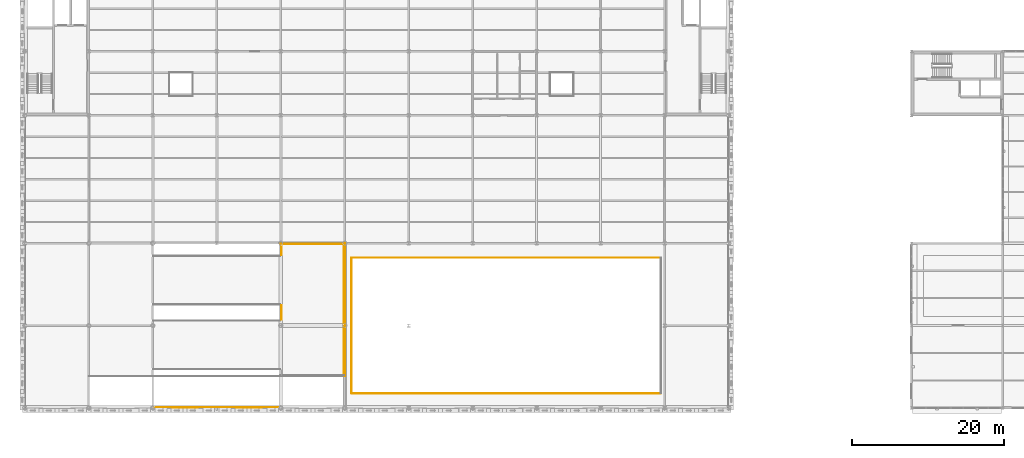
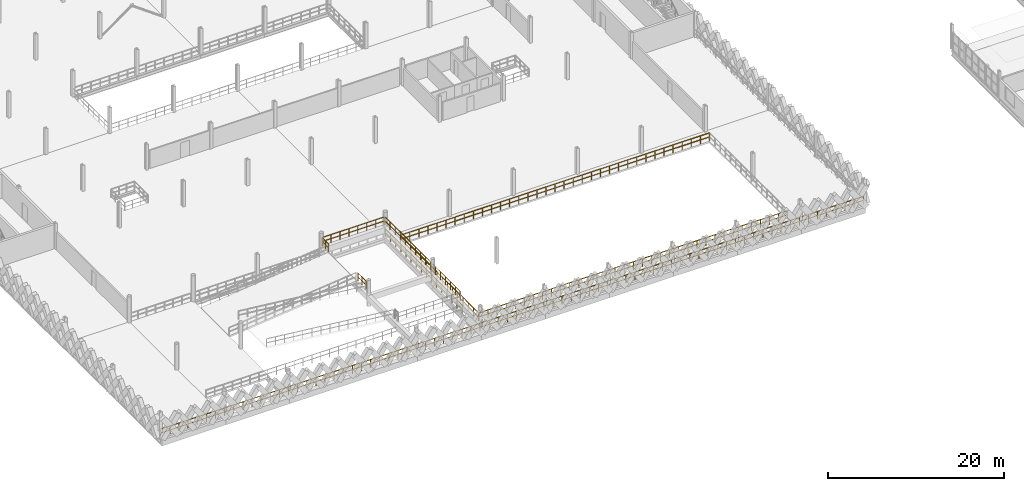
# One storey, part 70 of 79: 9 railings.
"""IFC4 building model written with IfcOpenShell, lengths in metres."""

from ifc_helpers import new_model, si_unit, direction, frame, origin, origin_2d, place, context, subcontext, project, spatial, circle, extrude, material, type_object, element, save


model = new_model("IFC4")

# Units and contexts
model_context = context("Model", 3, precision=1e-05, world=origin(), true_north=direction((0.0, 1.0)))
body_context = subcontext(model_context, "Body", "Model", "MODEL_VIEW")
ifc_project = project(units=[si_unit("LENGTHUNIT", "METRE"), si_unit("AREAUNIT", "SQUARE_METRE"), si_unit("VOLUMEUNIT", "CUBIC_METRE"), si_unit("PLANEANGLEUNIT", "RADIAN"), si_unit("MASSUNIT", "GRAM", prefix="KILO"), si_unit("THERMODYNAMICTEMPERATUREUNIT", "KELVIN"), si_unit("POWERUNIT", "WATT")], contexts=[model_context])

# Site, building, storey
site_placement = place(None, origin())
site = spatial("IfcSite", under=ifc_project, at=site_placement, CompositionType="ELEMENT")
building_placement = place(site_placement, origin())
building = spatial("IfcBuilding", under=site, at=building_placement, Name="Tembeka Court Mobility Hub", CompositionType="ELEMENT")
storey_placement = place(building_placement, frame((0.0, 0.0, 9.0)))
storey = spatial("IfcBuildingStorey", under=building, at=storey_placement, Name="L02", CompositionType="ELEMENT", Elevation=9.0)

# Railings
ifc_material = material(Name="Painted galvanised steel balustrade", Category="steel")
railing_type_1 = type_object("IfcRailingType", Name="RL-GR01", PredefinedType="GUARDRAIL", material=ifc_material)
railing_1_placement = place(storey_placement, frame((42.929931640625, 1.89990234375, 0.0)))
element("IfcRailing", 1, at=railing_1_placement, inside=storey, type_object=railing_type_1, Name="Perimeter guard GR01-0083", PredefinedType="GUARDRAIL", context=body_context, shape_type="SweptSolid", body=[
    extrude(circle(Radius=0.02392578125, at=origin_2d()), frame((0.0, 0.0, 1.09619140625), z_axis=(1.0, 0.0, 0.0), x_axis=(0.0, 1.0, 0.0)), (0.0, 0.0, 1.0), 40.5400390625),
    extrude(circle(Radius=0.02392578125, at=origin_2d()), frame((0.0, 0.0, 0.5361328125), z_axis=(1.0, 0.0, 0.0), x_axis=(0.0, 1.0, 0.0)), (0.0, 0.0, 1.0), 40.5400390625),
    extrude(circle(Radius=0.02099609375, at=origin_2d()), origin(), (0.0, 0.0, 1.0), 1.072021484375),
    extrude(circle(Radius=0.02099609375, at=origin_2d()), frame((1.1923828125, 0.0, 0.0)), (0.0, 0.0, 1.0), 1.072021484375),
    extrude(circle(Radius=0.02099609375, at=origin_2d()), frame((2.384765625, 0.0, 0.0)), (0.0, 0.0, 1.0), 1.072021484375),
    extrude(circle(Radius=0.02099609375, at=origin_2d()), frame((3.5771484375, 0.0, 0.0)), (0.0, 0.0, 1.0), 1.072021484375),
    extrude(circle(Radius=0.02099609375, at=origin_2d()), frame((4.76953125, 0.0, 0.0)), (0.0, 0.0, 1.0), 1.072021484375),
    extrude(circle(Radius=0.02099609375, at=origin_2d()), frame((5.961669921875, 0.0, 0.0)), (0.0, 0.0, 1.0), 1.072021484375),
    extrude(circle(Radius=0.02099609375, at=origin_2d()), frame((7.154052734375, 0.0, 0.0)), (0.0, 0.0, 1.0), 1.072021484375),
    extrude(circle(Radius=0.02099609375, at=origin_2d()), frame((8.346435546875, 0.0, 0.0)), (0.0, 0.0, 1.0), 1.072021484375),
    extrude(circle(Radius=0.02099609375, at=origin_2d()), frame((9.538818359375, 0.0, 0.0)), (0.0, 0.0, 1.0), 1.072021484375),
    extrude(circle(Radius=0.02099609375, at=origin_2d()), frame((10.731201171875, 0.0, 0.0)), (0.0, 0.0, 1.0), 1.072021484375),
    extrude(circle(Radius=0.02099609375, at=origin_2d()), frame((11.923583984375, 0.0, 0.0)), (0.0, 0.0, 1.0), 1.072021484375),
    extrude(circle(Radius=0.02099609375, at=origin_2d()), frame((13.115966796875, 0.0, 0.0)), (0.0, 0.0, 1.0), 1.072021484375),
    extrude(circle(Radius=0.02099609375, at=origin_2d()), frame((14.308349609375, 0.0, 0.0)), (0.0, 0.0, 1.0), 1.072021484375),
    extrude(circle(Radius=0.02099609375, at=origin_2d()), frame((15.50048828125, 0.0, 0.0)), (0.0, 0.0, 1.0), 1.072021484375),
    extrude(circle(Radius=0.02099609375, at=origin_2d()), frame((16.69287109375, 0.0, 0.0)), (0.0, 0.0, 1.0), 1.072021484375),
    extrude(circle(Radius=0.02099609375, at=origin_2d()), frame((17.88525390625, 0.0, 0.0)), (0.0, 0.0, 1.0), 1.072021484375),
    extrude(circle(Radius=0.02099609375, at=origin_2d()), frame((19.07763671875, 0.0, 0.0)), (0.0, 0.0, 1.0), 1.072021484375),
    extrude(circle(Radius=0.02099609375, at=origin_2d()), frame((20.27001953125, 0.0, 0.0)), (0.0, 0.0, 1.0), 1.072021484375),
    extrude(circle(Radius=0.02099609375, at=origin_2d()), frame((21.46240234375, 0.0, 0.0)), (0.0, 0.0, 1.0), 1.072021484375),
    extrude(circle(Radius=0.02099609375, at=origin_2d()), frame((22.65478515625, 0.0, 0.0)), (0.0, 0.0, 1.0), 1.072021484375),
    extrude(circle(Radius=0.02099609375, at=origin_2d()), frame((23.84716796875, 0.0, 0.0)), (0.0, 0.0, 1.0), 1.072021484375),
    extrude(circle(Radius=0.02099609375, at=origin_2d()), frame((25.03955078125, 0.0, 0.0)), (0.0, 0.0, 1.0), 1.072021484375),
    extrude(circle(Radius=0.02099609375, at=origin_2d()), frame((26.231689453125, 0.0, 0.0)), (0.0, 0.0, 1.0), 1.072021484375),
    extrude(circle(Radius=0.02099609375, at=origin_2d()), frame((27.424072265625, 0.0, 0.0)), (0.0, 0.0, 1.0), 1.072021484375),
    extrude(circle(Radius=0.02099609375, at=origin_2d()), frame((28.616455078125, 0.0, 0.0)), (0.0, 0.0, 1.0), 1.072021484375),
    extrude(circle(Radius=0.02099609375, at=origin_2d()), frame((29.808837890625, 0.0, 0.0)), (0.0, 0.0, 1.0), 1.072021484375),
    extrude(circle(Radius=0.02099609375, at=origin_2d()), frame((31.001220703125, 0.0, 0.0)), (0.0, 0.0, 1.0), 1.072021484375),
    extrude(circle(Radius=0.02099609375, at=origin_2d()), frame((32.193603515625, 0.0, 0.0)), (0.0, 0.0, 1.0), 1.072021484375),
    extrude(circle(Radius=0.02099609375, at=origin_2d()), frame((33.385986328125, 0.0, 0.0)), (0.0, 0.0, 1.0), 1.072021484375),
    extrude(circle(Radius=0.02099609375, at=origin_2d()), frame((34.578369140625, 0.0, 0.0)), (0.0, 0.0, 1.0), 1.072021484375),
    extrude(circle(Radius=0.02099609375, at=origin_2d()), frame((35.7705078125, 0.0, 0.0)), (0.0, 0.0, 1.0), 1.072021484375),
    extrude(circle(Radius=0.02099609375, at=origin_2d()), frame((36.962890625, 0.0, 0.0)), (0.0, 0.0, 1.0), 1.072021484375),
    extrude(circle(Radius=0.02099609375, at=origin_2d()), frame((38.1552734375, 0.0, 0.0)), (0.0, 0.0, 1.0), 1.072021484375),
    extrude(circle(Radius=0.02099609375, at=origin_2d()), frame((39.34765625, 0.0, 0.0)), (0.0, 0.0, 1.0), 1.072021484375),
    extrude(circle(Radius=0.02099609375, at=origin_2d()), frame((40.5400390625, 0.0, 0.0)), (0.0, 0.0, 1.0), 1.072021484375),
])
railing_2_placement = place(storey_placement, frame((83.469970703125, 19.699951171875, 0.0)))
element("IfcRailing", 2, at=railing_2_placement, inside=storey, type_object=railing_type_1, Name="Perimeter guard GR01-0085", PredefinedType="GUARDRAIL", context=body_context, shape_type="SweptSolid", body=[
    extrude(circle(Radius=0.02392578125, at=origin_2d()), frame((0.0, 0.0, 1.09619140625), z_axis=(-1.0, 0.0, 0.0), x_axis=(0.0, -1.0, 0.0)), (0.0, 0.0, 1.0), 40.5400390625),
    extrude(circle(Radius=0.02392578125, at=origin_2d()), frame((0.0, 0.0, 0.5361328125), z_axis=(-1.0, 0.0, 0.0), x_axis=(0.0, -1.0, 0.0)), (0.0, 0.0, 1.0), 40.5400390625),
    extrude(circle(Radius=0.02099609375, at=origin_2d()), origin(), (0.0, 0.0, 1.0), 1.072021484375),
    extrude(circle(Radius=0.02099609375, at=origin_2d()), frame((-1.1923828125, 0.0, 0.0)), (0.0, 0.0, 1.0), 1.072021484375),
    extrude(circle(Radius=0.02099609375, at=origin_2d()), frame((-2.384765625, 0.0, 0.0)), (0.0, 0.0, 1.0), 1.072021484375),
    extrude(circle(Radius=0.02099609375, at=origin_2d()), frame((-3.5771484375, 0.0, 0.0)), (0.0, 0.0, 1.0), 1.072021484375),
    extrude(circle(Radius=0.02099609375, at=origin_2d()), frame((-4.76953125, 0.0, 0.0)), (0.0, 0.0, 1.0), 1.072021484375),
    extrude(circle(Radius=0.02099609375, at=origin_2d()), frame((-5.961669921875, 0.0, 0.0)), (0.0, 0.0, 1.0), 1.072021484375),
    extrude(circle(Radius=0.02099609375, at=origin_2d()), frame((-7.154052734375, 0.0, 0.0)), (0.0, 0.0, 1.0), 1.072021484375),
    extrude(circle(Radius=0.02099609375, at=origin_2d()), frame((-8.346435546875, 0.0, 0.0)), (0.0, 0.0, 1.0), 1.072021484375),
    extrude(circle(Radius=0.02099609375, at=origin_2d()), frame((-9.538818359375, 0.0, 0.0)), (0.0, 0.0, 1.0), 1.072021484375),
    extrude(circle(Radius=0.02099609375, at=origin_2d()), frame((-10.731201171875, 0.0, 0.0)), (0.0, 0.0, 1.0), 1.072021484375),
    extrude(circle(Radius=0.02099609375, at=origin_2d()), frame((-11.923583984375, 0.0, 0.0)), (0.0, 0.0, 1.0), 1.072021484375),
    extrude(circle(Radius=0.02099609375, at=origin_2d()), frame((-13.115966796875, 0.0, 0.0)), (0.0, 0.0, 1.0), 1.072021484375),
    extrude(circle(Radius=0.02099609375, at=origin_2d()), frame((-14.308349609375, 0.0, 0.0)), (0.0, 0.0, 1.0), 1.072021484375),
    extrude(circle(Radius=0.02099609375, at=origin_2d()), frame((-15.50048828125, 0.0, 0.0)), (0.0, 0.0, 1.0), 1.072021484375),
    extrude(circle(Radius=0.02099609375, at=origin_2d()), frame((-16.69287109375, 0.0, 0.0)), (0.0, 0.0, 1.0), 1.072021484375),
    extrude(circle(Radius=0.02099609375, at=origin_2d()), frame((-17.88525390625, 0.0, 0.0)), (0.0, 0.0, 1.0), 1.072021484375),
    extrude(circle(Radius=0.02099609375, at=origin_2d()), frame((-19.07763671875, 0.0, 0.0)), (0.0, 0.0, 1.0), 1.072021484375),
    extrude(circle(Radius=0.02099609375, at=origin_2d()), frame((-20.27001953125, 0.0, 0.0)), (0.0, 0.0, 1.0), 1.072021484375),
    extrude(circle(Radius=0.02099609375, at=origin_2d()), frame((-21.46240234375, 0.0, 0.0)), (0.0, 0.0, 1.0), 1.072021484375),
    extrude(circle(Radius=0.02099609375, at=origin_2d()), frame((-22.65478515625, 0.0, 0.0)), (0.0, 0.0, 1.0), 1.072021484375),
    extrude(circle(Radius=0.02099609375, at=origin_2d()), frame((-23.84716796875, 0.0, 0.0)), (0.0, 0.0, 1.0), 1.072021484375),
    extrude(circle(Radius=0.02099609375, at=origin_2d()), frame((-25.03955078125, 0.0, 0.0)), (0.0, 0.0, 1.0), 1.072021484375),
    extrude(circle(Radius=0.02099609375, at=origin_2d()), frame((-26.231689453125, 0.0, 0.0)), (0.0, 0.0, 1.0), 1.072021484375),
    extrude(circle(Radius=0.02099609375, at=origin_2d()), frame((-27.424072265625, 0.0, 0.0)), (0.0, 0.0, 1.0), 1.072021484375),
    extrude(circle(Radius=0.02099609375, at=origin_2d()), frame((-28.616455078125, 0.0, 0.0)), (0.0, 0.0, 1.0), 1.072021484375),
    extrude(circle(Radius=0.02099609375, at=origin_2d()), frame((-29.808837890625, 0.0, 0.0)), (0.0, 0.0, 1.0), 1.072021484375),
    extrude(circle(Radius=0.02099609375, at=origin_2d()), frame((-31.001220703125, 0.0, 0.0)), (0.0, 0.0, 1.0), 1.072021484375),
    extrude(circle(Radius=0.02099609375, at=origin_2d()), frame((-32.193603515625, 0.0, 0.0)), (0.0, 0.0, 1.0), 1.072021484375),
    extrude(circle(Radius=0.02099609375, at=origin_2d()), frame((-33.385986328125, 0.0, 0.0)), (0.0, 0.0, 1.0), 1.072021484375),
    extrude(circle(Radius=0.02099609375, at=origin_2d()), frame((-34.578369140625, 0.0, 0.0)), (0.0, 0.0, 1.0), 1.072021484375),
    extrude(circle(Radius=0.02099609375, at=origin_2d()), frame((-35.7705078125, 0.0, 0.0)), (0.0, 0.0, 1.0), 1.072021484375),
    extrude(circle(Radius=0.02099609375, at=origin_2d()), frame((-36.962890625, 0.0, 0.0)), (0.0, 0.0, 1.0), 1.072021484375),
    extrude(circle(Radius=0.02099609375, at=origin_2d()), frame((-38.1552734375, 0.0, 0.0)), (0.0, 0.0, 1.0), 1.072021484375),
    extrude(circle(Radius=0.02099609375, at=origin_2d()), frame((-39.34765625, 0.0, 0.0)), (0.0, 0.0, 1.0), 1.072021484375),
    extrude(circle(Radius=0.02099609375, at=origin_2d()), frame((-40.5400390625, 0.0, 0.0)), (0.0, 0.0, 1.0), 1.072021484375),
])
railing_3_placement = place(storey_placement, frame((42.89990234375, 19.669921875, 0.0)))
element("IfcRailing", 3, at=railing_3_placement, inside=storey, type_object=railing_type_1, Name="Perimeter guard GR01-0086", PredefinedType="GUARDRAIL", context=body_context, shape_type="SweptSolid", body=[
    extrude(circle(Radius=0.02392578125, at=origin_2d()), frame((0.0, 0.0, 1.09619140625), z_axis=(0.0, -1.0, 0.0), x_axis=(1.0, 0.0, 0.0)), (0.0, 0.0, 1.0), 17.739990234375),
    extrude(circle(Radius=0.02392578125, at=origin_2d()), frame((0.0, 0.0, 0.5361328125), z_axis=(0.0, -1.0, 0.0), x_axis=(1.0, 0.0, 0.0)), (0.0, 0.0, 1.0), 17.739990234375),
    extrude(circle(Radius=0.02099609375, at=origin_2d()), origin(), (0.0, 0.0, 1.0), 1.072021484375),
    extrude(circle(Radius=0.02099609375, at=origin_2d()), frame((0.0, -1.1826171875, 0.0)), (0.0, 0.0, 1.0), 1.072021484375),
    extrude(circle(Radius=0.02099609375, at=origin_2d()), frame((0.0, -2.365234375, 0.0)), (0.0, 0.0, 1.0), 1.072021484375),
    extrude(circle(Radius=0.02099609375, at=origin_2d()), frame((0.0, -3.548095703125, 0.0)), (0.0, 0.0, 1.0), 1.072021484375),
    extrude(circle(Radius=0.02099609375, at=origin_2d()), frame((0.0, -4.730712890625, 0.0)), (0.0, 0.0, 1.0), 1.072021484375),
    extrude(circle(Radius=0.02099609375, at=origin_2d()), frame((0.0, -5.913330078125, 0.0)), (0.0, 0.0, 1.0), 1.072021484375),
    extrude(circle(Radius=0.02099609375, at=origin_2d()), frame((0.0, -7.095947265625, 0.0)), (0.0, 0.0, 1.0), 1.072021484375),
    extrude(circle(Radius=0.02099609375, at=origin_2d()), frame((0.0, -8.278564453125, 0.0)), (0.0, 0.0, 1.0), 1.072021484375),
    extrude(circle(Radius=0.02099609375, at=origin_2d()), frame((0.0, -9.46142578125, 0.0)), (0.0, 0.0, 1.0), 1.072021484375),
    extrude(circle(Radius=0.02099609375, at=origin_2d()), frame((0.0, -10.64404296875, 0.0)), (0.0, 0.0, 1.0), 1.072021484375),
    extrude(circle(Radius=0.02099609375, at=origin_2d()), frame((0.0, -11.82666015625, 0.0)), (0.0, 0.0, 1.0), 1.072021484375),
    extrude(circle(Radius=0.02099609375, at=origin_2d()), frame((0.0, -13.00927734375, 0.0)), (0.0, 0.0, 1.0), 1.072021484375),
    extrude(circle(Radius=0.02099609375, at=origin_2d()), frame((0.0, -14.19189453125, 0.0)), (0.0, 0.0, 1.0), 1.072021484375),
    extrude(circle(Radius=0.02099609375, at=origin_2d()), frame((0.0, -15.374755859375, 0.0)), (0.0, 0.0, 1.0), 1.072021484375),
    extrude(circle(Radius=0.02099609375, at=origin_2d()), frame((0.0, -16.557373046875, 0.0)), (0.0, 0.0, 1.0), 1.072021484375),
    extrude(circle(Radius=0.02099609375, at=origin_2d()), frame((0.0, -17.739990234375, 0.0)), (0.0, 0.0, 1.0), 1.072021484375),
])
railing_type_2 = type_object("IfcRailingType", Name="RL-GR02", PredefinedType="GUARDRAIL", material=ifc_material)
railing_4_placement = place(storey_placement, frame((0.080078125, 0.050048828125, 0.0)))
element("IfcRailing", 4, at=railing_4_placement, inside=storey, type_object=railing_type_2, Name="Perimeter guard GR02-0091", PredefinedType="GUARDRAIL", context=body_context, shape_type="SweptSolid", body=[
    extrude(circle(Radius=0.02392578125, at=origin_2d()), frame((0.0, 0.0, 1.09619140625), z_axis=(1.0, 0.0, 0.0), x_axis=(0.0, 1.0, 0.0)), (0.0, 0.0, 1.0), 92.239990234375),
    extrude(circle(Radius=0.02392578125, at=origin_2d()), frame((0.0, 0.0, 0.5361328125), z_axis=(1.0, 0.0, 0.0), x_axis=(0.0, 1.0, 0.0)), (0.0, 0.0, 1.0), 92.239990234375),
    extrude(circle(Radius=0.02099609375, at=origin_2d()), origin(), (0.0, 0.0, 1.0), 1.072021484375),
    extrude(circle(Radius=0.02099609375, at=origin_2d()), frame((1.197998046875, 0.0, 0.0)), (0.0, 0.0, 1.0), 1.072021484375),
    extrude(circle(Radius=0.02099609375, at=origin_2d()), frame((2.395751953125, 0.0, 0.0)), (0.0, 0.0, 1.0), 1.072021484375),
    extrude(circle(Radius=0.02099609375, at=origin_2d()), frame((3.59375, 0.0, 0.0)), (0.0, 0.0, 1.0), 1.072021484375),
    extrude(circle(Radius=0.02099609375, at=origin_2d()), frame((4.791748046875, 0.0, 0.0)), (0.0, 0.0, 1.0), 1.072021484375),
    extrude(circle(Radius=0.02099609375, at=origin_2d()), frame((5.989501953125, 0.0, 0.0)), (0.0, 0.0, 1.0), 1.072021484375),
    extrude(circle(Radius=0.02099609375, at=origin_2d()), frame((7.1875, 0.0, 0.0)), (0.0, 0.0, 1.0), 1.072021484375),
    extrude(circle(Radius=0.02099609375, at=origin_2d()), frame((8.385498046875, 0.0, 0.0)), (0.0, 0.0, 1.0), 1.072021484375),
    extrude(circle(Radius=0.02099609375, at=origin_2d()), frame((9.58349609375, 0.0, 0.0)), (0.0, 0.0, 1.0), 1.072021484375),
    extrude(circle(Radius=0.02099609375, at=origin_2d()), frame((10.78125, 0.0, 0.0)), (0.0, 0.0, 1.0), 1.072021484375),
    extrude(circle(Radius=0.02099609375, at=origin_2d()), frame((11.979248046875, 0.0, 0.0)), (0.0, 0.0, 1.0), 1.072021484375),
    extrude(circle(Radius=0.02099609375, at=origin_2d()), frame((13.17724609375, 0.0, 0.0)), (0.0, 0.0, 1.0), 1.072021484375),
    extrude(circle(Radius=0.02099609375, at=origin_2d()), frame((14.375, 0.0, 0.0)), (0.0, 0.0, 1.0), 1.072021484375),
    extrude(circle(Radius=0.02099609375, at=origin_2d()), frame((15.572998046875, 0.0, 0.0)), (0.0, 0.0, 1.0), 1.072021484375),
    extrude(circle(Radius=0.02099609375, at=origin_2d()), frame((16.77099609375, 0.0, 0.0)), (0.0, 0.0, 1.0), 1.072021484375),
    extrude(circle(Radius=0.02099609375, at=origin_2d()), frame((17.96875, 0.0, 0.0)), (0.0, 0.0, 1.0), 1.072021484375),
    extrude(circle(Radius=0.02099609375, at=origin_2d()), frame((19.166748046875, 0.0, 0.0)), (0.0, 0.0, 1.0), 1.072021484375),
    extrude(circle(Radius=0.02099609375, at=origin_2d()), frame((20.36474609375, 0.0, 0.0)), (0.0, 0.0, 1.0), 1.072021484375),
    extrude(circle(Radius=0.02099609375, at=origin_2d()), frame((21.5625, 0.0, 0.0)), (0.0, 0.0, 1.0), 1.072021484375),
    extrude(circle(Radius=0.02099609375, at=origin_2d()), frame((22.760498046875, 0.0, 0.0)), (0.0, 0.0, 1.0), 1.072021484375),
    extrude(circle(Radius=0.02099609375, at=origin_2d()), frame((23.95849609375, 0.0, 0.0)), (0.0, 0.0, 1.0), 1.072021484375),
    extrude(circle(Radius=0.02099609375, at=origin_2d()), frame((25.15625, 0.0, 0.0)), (0.0, 0.0, 1.0), 1.072021484375),
    extrude(circle(Radius=0.02099609375, at=origin_2d()), frame((26.354248046875, 0.0, 0.0)), (0.0, 0.0, 1.0), 1.072021484375),
    extrude(circle(Radius=0.02099609375, at=origin_2d()), frame((27.55224609375, 0.0, 0.0)), (0.0, 0.0, 1.0), 1.072021484375),
    extrude(circle(Radius=0.02099609375, at=origin_2d()), frame((28.750244140625, 0.0, 0.0)), (0.0, 0.0, 1.0), 1.072021484375),
    extrude(circle(Radius=0.02099609375, at=origin_2d()), frame((29.947998046875, 0.0, 0.0)), (0.0, 0.0, 1.0), 1.072021484375),
    extrude(circle(Radius=0.02099609375, at=origin_2d()), frame((31.14599609375, 0.0, 0.0)), (0.0, 0.0, 1.0), 1.072021484375),
    extrude(circle(Radius=0.02099609375, at=origin_2d()), frame((32.343994140625, 0.0, 0.0)), (0.0, 0.0, 1.0), 1.072021484375),
    extrude(circle(Radius=0.02099609375, at=origin_2d()), frame((33.541748046875, 0.0, 0.0)), (0.0, 0.0, 1.0), 1.072021484375),
    extrude(circle(Radius=0.02099609375, at=origin_2d()), frame((34.73974609375, 0.0, 0.0)), (0.0, 0.0, 1.0), 1.072021484375),
    extrude(circle(Radius=0.02099609375, at=origin_2d()), frame((35.937744140625, 0.0, 0.0)), (0.0, 0.0, 1.0), 1.072021484375),
    extrude(circle(Radius=0.02099609375, at=origin_2d()), frame((37.135498046875, 0.0, 0.0)), (0.0, 0.0, 1.0), 1.072021484375),
    extrude(circle(Radius=0.02099609375, at=origin_2d()), frame((38.33349609375, 0.0, 0.0)), (0.0, 0.0, 1.0), 1.072021484375),
    extrude(circle(Radius=0.02099609375, at=origin_2d()), frame((39.531494140625, 0.0, 0.0)), (0.0, 0.0, 1.0), 1.072021484375),
    extrude(circle(Radius=0.02099609375, at=origin_2d()), frame((40.729248046875, 0.0, 0.0)), (0.0, 0.0, 1.0), 1.072021484375),
    extrude(circle(Radius=0.02099609375, at=origin_2d()), frame((41.92724609375, 0.0, 0.0)), (0.0, 0.0, 1.0), 1.072021484375),
    extrude(circle(Radius=0.02099609375, at=origin_2d()), frame((43.125244140625, 0.0, 0.0)), (0.0, 0.0, 1.0), 1.072021484375),
    extrude(circle(Radius=0.02099609375, at=origin_2d()), frame((44.322998046875, 0.0, 0.0)), (0.0, 0.0, 1.0), 1.072021484375),
    extrude(circle(Radius=0.02099609375, at=origin_2d()), frame((45.52099609375, 0.0, 0.0)), (0.0, 0.0, 1.0), 1.072021484375),
    extrude(circle(Radius=0.02099609375, at=origin_2d()), frame((46.718994140625, 0.0, 0.0)), (0.0, 0.0, 1.0), 1.072021484375),
    extrude(circle(Radius=0.02099609375, at=origin_2d()), frame((47.9169921875, 0.0, 0.0)), (0.0, 0.0, 1.0), 1.072021484375),
    extrude(circle(Radius=0.02099609375, at=origin_2d()), frame((49.11474609375, 0.0, 0.0)), (0.0, 0.0, 1.0), 1.072021484375),
    extrude(circle(Radius=0.02099609375, at=origin_2d()), frame((50.312744140625, 0.0, 0.0)), (0.0, 0.0, 1.0), 1.072021484375),
    extrude(circle(Radius=0.02099609375, at=origin_2d()), frame((51.5107421875, 0.0, 0.0)), (0.0, 0.0, 1.0), 1.072021484375),
    extrude(circle(Radius=0.02099609375, at=origin_2d()), frame((52.70849609375, 0.0, 0.0)), (0.0, 0.0, 1.0), 1.072021484375),
    extrude(circle(Radius=0.02099609375, at=origin_2d()), frame((53.906494140625, 0.0, 0.0)), (0.0, 0.0, 1.0), 1.072021484375),
    extrude(circle(Radius=0.02099609375, at=origin_2d()), frame((55.1044921875, 0.0, 0.0)), (0.0, 0.0, 1.0), 1.072021484375),
    extrude(circle(Radius=0.02099609375, at=origin_2d()), frame((56.30224609375, 0.0, 0.0)), (0.0, 0.0, 1.0), 1.072021484375),
    extrude(circle(Radius=0.02099609375, at=origin_2d()), frame((57.500244140625, 0.0, 0.0)), (0.0, 0.0, 1.0), 1.072021484375),
    extrude(circle(Radius=0.02099609375, at=origin_2d()), frame((58.6982421875, 0.0, 0.0)), (0.0, 0.0, 1.0), 1.072021484375),
    extrude(circle(Radius=0.02099609375, at=origin_2d()), frame((59.89599609375, 0.0, 0.0)), (0.0, 0.0, 1.0), 1.072021484375),
    extrude(circle(Radius=0.02099609375, at=origin_2d()), frame((61.093994140625, 0.0, 0.0)), (0.0, 0.0, 1.0), 1.072021484375),
    extrude(circle(Radius=0.02099609375, at=origin_2d()), frame((62.2919921875, 0.0, 0.0)), (0.0, 0.0, 1.0), 1.072021484375),
    extrude(circle(Radius=0.02099609375, at=origin_2d()), frame((63.48974609375, 0.0, 0.0)), (0.0, 0.0, 1.0), 1.072021484375),
    extrude(circle(Radius=0.02099609375, at=origin_2d()), frame((64.687744140625, 0.0, 0.0)), (0.0, 0.0, 1.0), 1.072021484375),
    extrude(circle(Radius=0.02099609375, at=origin_2d()), frame((65.8857421875, 0.0, 0.0)), (0.0, 0.0, 1.0), 1.072021484375),
    extrude(circle(Radius=0.02099609375, at=origin_2d()), frame((67.083740234375, 0.0, 0.0)), (0.0, 0.0, 1.0), 1.072021484375),
    extrude(circle(Radius=0.02099609375, at=origin_2d()), frame((68.281494140625, 0.0, 0.0)), (0.0, 0.0, 1.0), 1.072021484375),
    extrude(circle(Radius=0.02099609375, at=origin_2d()), frame((69.4794921875, 0.0, 0.0)), (0.0, 0.0, 1.0), 1.072021484375),
    extrude(circle(Radius=0.02099609375, at=origin_2d()), frame((70.677490234375, 0.0, 0.0)), (0.0, 0.0, 1.0), 1.072021484375),
    extrude(circle(Radius=0.02099609375, at=origin_2d()), frame((71.875244140625, 0.0, 0.0)), (0.0, 0.0, 1.0), 1.072021484375),
    extrude(circle(Radius=0.02099609375, at=origin_2d()), frame((73.0732421875, 0.0, 0.0)), (0.0, 0.0, 1.0), 1.072021484375),
    extrude(circle(Radius=0.02099609375, at=origin_2d()), frame((74.271240234375, 0.0, 0.0)), (0.0, 0.0, 1.0), 1.072021484375),
    extrude(circle(Radius=0.02099609375, at=origin_2d()), frame((75.468994140625, 0.0, 0.0)), (0.0, 0.0, 1.0), 1.072021484375),
    extrude(circle(Radius=0.02099609375, at=origin_2d()), frame((76.6669921875, 0.0, 0.0)), (0.0, 0.0, 1.0), 1.072021484375),
    extrude(circle(Radius=0.02099609375, at=origin_2d()), frame((77.864990234375, 0.0, 0.0)), (0.0, 0.0, 1.0), 1.072021484375),
    extrude(circle(Radius=0.02099609375, at=origin_2d()), frame((79.062744140625, 0.0, 0.0)), (0.0, 0.0, 1.0), 1.072021484375),
    extrude(circle(Radius=0.02099609375, at=origin_2d()), frame((80.2607421875, 0.0, 0.0)), (0.0, 0.0, 1.0), 1.072021484375),
    extrude(circle(Radius=0.02099609375, at=origin_2d()), frame((81.458740234375, 0.0, 0.0)), (0.0, 0.0, 1.0), 1.072021484375),
    extrude(circle(Radius=0.02099609375, at=origin_2d()), frame((82.656494140625, 0.0, 0.0)), (0.0, 0.0, 1.0), 1.072021484375),
    extrude(circle(Radius=0.02099609375, at=origin_2d()), frame((83.8544921875, 0.0, 0.0)), (0.0, 0.0, 1.0), 1.072021484375),
    extrude(circle(Radius=0.02099609375, at=origin_2d()), frame((85.052490234375, 0.0, 0.0)), (0.0, 0.0, 1.0), 1.072021484375),
    extrude(circle(Radius=0.02099609375, at=origin_2d()), frame((86.25048828125, 0.0, 0.0)), (0.0, 0.0, 1.0), 1.072021484375),
    extrude(circle(Radius=0.02099609375, at=origin_2d()), frame((87.4482421875, 0.0, 0.0)), (0.0, 0.0, 1.0), 1.072021484375),
    extrude(circle(Radius=0.02099609375, at=origin_2d()), frame((88.646240234375, 0.0, 0.0)), (0.0, 0.0, 1.0), 1.072021484375),
    extrude(circle(Radius=0.02099609375, at=origin_2d()), frame((89.84423828125, 0.0, 0.0)), (0.0, 0.0, 1.0), 1.072021484375),
    extrude(circle(Radius=0.02099609375, at=origin_2d()), frame((91.0419921875, 0.0, 0.0)), (0.0, 0.0, 1.0), 1.072021484375),
    extrude(circle(Radius=0.02099609375, at=origin_2d()), frame((92.239990234375, 0.0, 0.0)), (0.0, 0.0, 1.0), 1.072021484375),
])
railing_5_placement = place(storey_placement, frame((42.050048828125, 4.179931640625, 0.0)))
element("IfcRailing", 5, at=railing_5_placement, inside=storey, type_object=railing_type_2, Name="Perimeter guard GR02-0267", PredefinedType="GUARDRAIL", context=body_context, shape_type="SweptSolid", body=[
    extrude(circle(Radius=0.02392578125, at=origin_2d()), frame((0.0, 0.0, 1.09619140625), z_axis=(0.0, 1.0, 0.0), x_axis=(-1.0, 0.0, 0.0)), (0.0, 0.0, 1.0), 17.440185546875),
    extrude(circle(Radius=0.02392578125, at=origin_2d()), frame((0.0, 0.0, 0.5361328125), z_axis=(0.0, 1.0, 0.0), x_axis=(-1.0, 0.0, 0.0)), (0.0, 0.0, 1.0), 17.440185546875),
    extrude(circle(Radius=0.02099609375, at=origin_2d()), origin(), (0.0, 0.0, 1.0), 1.072021484375),
    extrude(circle(Radius=0.02099609375, at=origin_2d()), frame((0.0, 1.16259765625, 0.0)), (0.0, 0.0, 1.0), 1.072021484375),
    extrude(circle(Radius=0.02099609375, at=origin_2d()), frame((0.0, 2.325439453125, 0.0)), (0.0, 0.0, 1.0), 1.072021484375),
    extrude(circle(Radius=0.02099609375, at=origin_2d()), frame((0.0, 3.488037109375, 0.0)), (0.0, 0.0, 1.0), 1.072021484375),
    extrude(circle(Radius=0.02099609375, at=origin_2d()), frame((0.0, 4.650634765625, 0.0)), (0.0, 0.0, 1.0), 1.072021484375),
    extrude(circle(Radius=0.02099609375, at=origin_2d()), frame((0.0, 5.8134765625, 0.0)), (0.0, 0.0, 1.0), 1.072021484375),
    extrude(circle(Radius=0.02099609375, at=origin_2d()), frame((0.0, 6.97607421875, 0.0)), (0.0, 0.0, 1.0), 1.072021484375),
    extrude(circle(Radius=0.02099609375, at=origin_2d()), frame((0.0, 8.138671875, 0.0)), (0.0, 0.0, 1.0), 1.072021484375),
    extrude(circle(Radius=0.02099609375, at=origin_2d()), frame((0.0, 9.301513671875, 0.0)), (0.0, 0.0, 1.0), 1.072021484375),
    extrude(circle(Radius=0.02099609375, at=origin_2d()), frame((0.0, 10.464111328125, 0.0)), (0.0, 0.0, 1.0), 1.072021484375),
    extrude(circle(Radius=0.02099609375, at=origin_2d()), frame((0.0, 11.626708984375, 0.0)), (0.0, 0.0, 1.0), 1.072021484375),
    extrude(circle(Radius=0.02099609375, at=origin_2d()), frame((0.0, 12.78955078125, 0.0)), (0.0, 0.0, 1.0), 1.072021484375),
    extrude(circle(Radius=0.02099609375, at=origin_2d()), frame((0.0, 13.9521484375, 0.0)), (0.0, 0.0, 1.0), 1.072021484375),
    extrude(circle(Radius=0.02099609375, at=origin_2d()), frame((0.0, 15.11474609375, 0.0)), (0.0, 0.0, 1.0), 1.072021484375),
    extrude(circle(Radius=0.02099609375, at=origin_2d()), frame((0.0, 16.277587890625, 0.0)), (0.0, 0.0, 1.0), 1.072021484375),
    extrude(circle(Radius=0.02099609375, at=origin_2d()), frame((0.0, 17.440185546875, 0.0)), (0.0, 0.0, 1.0), 1.072021484375),
])
railing_6_placement = place(storey_placement, frame((41.919921875, 4.31005859375, 1.800048828125)))
element("IfcRailing", 6, at=railing_6_placement, inside=storey, type_object=railing_type_2, Name="Perimeter guard GR02-0312", PredefinedType="GUARDRAIL", context=body_context, shape_type="SweptSolid", body=[
    extrude(circle(Radius=0.02392578125, at=origin_2d()), frame((0.0, 0.0, 1.09619140625), z_axis=(0.0, 1.0, 0.0), x_axis=(-1.0, 0.0, 0.0)), (0.0, 0.0, 1.0), 17.179931640625),
    extrude(circle(Radius=0.02392578125, at=origin_2d()), frame((0.0, 0.0, 0.5361328125), z_axis=(0.0, 1.0, 0.0), x_axis=(-1.0, 0.0, 0.0)), (0.0, 0.0, 1.0), 17.179931640625),
    extrude(circle(Radius=0.02099609375, at=origin_2d()), origin(), (0.0, 0.0, 1.0), 1.072021484375),
    extrude(circle(Radius=0.02099609375, at=origin_2d()), frame((0.0, 1.145263671875, 0.0)), (0.0, 0.0, 1.0), 1.072021484375),
    extrude(circle(Radius=0.02099609375, at=origin_2d()), frame((0.0, 2.290771484375, 0.0)), (0.0, 0.0, 1.0), 1.072021484375),
    extrude(circle(Radius=0.02099609375, at=origin_2d()), frame((0.0, 3.43603515625, 0.0)), (0.0, 0.0, 1.0), 1.072021484375),
    extrude(circle(Radius=0.02099609375, at=origin_2d()), frame((0.0, 4.581298828125, 0.0)), (0.0, 0.0, 1.0), 1.072021484375),
    extrude(circle(Radius=0.02099609375, at=origin_2d()), frame((0.0, 5.7265625, 0.0)), (0.0, 0.0, 1.0), 1.072021484375),
    extrude(circle(Radius=0.02099609375, at=origin_2d()), frame((0.0, 6.8720703125, 0.0)), (0.0, 0.0, 1.0), 1.072021484375),
    extrude(circle(Radius=0.02099609375, at=origin_2d()), frame((0.0, 8.017333984375, 0.0)), (0.0, 0.0, 1.0), 1.072021484375),
    extrude(circle(Radius=0.02099609375, at=origin_2d()), frame((0.0, 9.16259765625, 0.0)), (0.0, 0.0, 1.0), 1.072021484375),
    extrude(circle(Radius=0.02099609375, at=origin_2d()), frame((0.0, 10.307861328125, 0.0)), (0.0, 0.0, 1.0), 1.072021484375),
    extrude(circle(Radius=0.02099609375, at=origin_2d()), frame((0.0, 11.453369140625, 0.0)), (0.0, 0.0, 1.0), 1.072021484375),
    extrude(circle(Radius=0.02099609375, at=origin_2d()), frame((0.0, 12.5986328125, 0.0)), (0.0, 0.0, 1.0), 1.072021484375),
    extrude(circle(Radius=0.02099609375, at=origin_2d()), frame((0.0, 13.743896484375, 0.0)), (0.0, 0.0, 1.0), 1.072021484375),
    extrude(circle(Radius=0.02099609375, at=origin_2d()), frame((0.0, 14.88916015625, 0.0)), (0.0, 0.0, 1.0), 1.072021484375),
    extrude(circle(Radius=0.02099609375, at=origin_2d()), frame((0.0, 16.03466796875, 0.0)), (0.0, 0.0, 1.0), 1.072021484375),
    extrude(circle(Radius=0.02099609375, at=origin_2d()), frame((0.0, 17.179931640625, 0.0)), (0.0, 0.0, 1.0), 1.072021484375),
])
railing_7_placement = place(storey_placement, frame((41.889892578125, 21.52001953125, 1.800048828125)))
element("IfcRailing", 7, at=railing_7_placement, inside=storey, type_object=railing_type_2, Name="Perimeter guard GR02-0313", PredefinedType="GUARDRAIL", context=body_context, shape_type="SweptSolid", body=[
    extrude(circle(Radius=0.02392578125, at=origin_2d()), frame((0.0, 0.0, 1.09619140625), z_axis=(-1.0, 0.0, 0.0), x_axis=(0.0, -1.0, 0.0)), (0.0, 0.0, 1.0), 8.260009765625),
    extrude(circle(Radius=0.02392578125, at=origin_2d()), frame((0.0, 0.0, 0.5361328125), z_axis=(-1.0, 0.0, 0.0), x_axis=(0.0, -1.0, 0.0)), (0.0, 0.0, 1.0), 8.260009765625),
    extrude(circle(Radius=0.02099609375, at=origin_2d()), origin(), (0.0, 0.0, 1.0), 1.072021484375),
    extrude(circle(Radius=0.02099609375, at=origin_2d()), frame((-1.179931640625, 0.0, 0.0)), (0.0, 0.0, 1.0), 1.072021484375),
    extrude(circle(Radius=0.02099609375, at=origin_2d()), frame((-2.360107421875, 0.0, 0.0)), (0.0, 0.0, 1.0), 1.072021484375),
    extrude(circle(Radius=0.02099609375, at=origin_2d()), frame((-3.5400390625, 0.0, 0.0)), (0.0, 0.0, 1.0), 1.072021484375),
    extrude(circle(Radius=0.02099609375, at=origin_2d()), frame((-4.719970703125, 0.0, 0.0)), (0.0, 0.0, 1.0), 1.072021484375),
    extrude(circle(Radius=0.02099609375, at=origin_2d()), frame((-5.89990234375, 0.0, 0.0)), (0.0, 0.0, 1.0), 1.072021484375),
    extrude(circle(Radius=0.02099609375, at=origin_2d()), frame((-7.080078125, 0.0, 0.0)), (0.0, 0.0, 1.0), 1.072021484375),
    extrude(circle(Radius=0.02099609375, at=origin_2d()), frame((-8.260009765625, 0.0, 0.0)), (0.0, 0.0, 1.0), 1.072021484375),
])
railing_8_placement = place(storey_placement, frame((33.679931640625, 11.580078125, 1.800048828125)))
element("IfcRailing", 8, at=railing_8_placement, inside=storey, type_object=railing_type_2, Name="Perimeter guard GR02-0315", PredefinedType="GUARDRAIL", context=body_context, shape_type="SweptSolid", body=[
    extrude(circle(Radius=0.02392578125, at=origin_2d()), frame((0.0, 0.0, 1.09619140625), z_axis=(0.0, 1.0, 0.0), x_axis=(-1.0, 0.0, 0.0)), (0.0, 0.0, 1.0), 1.83984375),
    extrude(circle(Radius=0.02392578125, at=origin_2d()), frame((0.0, 0.0, 0.5361328125), z_axis=(0.0, 1.0, 0.0), x_axis=(-1.0, 0.0, 0.0)), (0.0, 0.0, 1.0), 1.83984375),
    extrude(circle(Radius=0.02099609375, at=origin_2d()), origin(), (0.0, 0.0, 1.0), 1.072021484375),
    extrude(circle(Radius=0.02099609375, at=origin_2d()), frame((0.0, 0.919921875, 0.0)), (0.0, 0.0, 1.0), 1.072021484375),
    extrude(circle(Radius=0.02099609375, at=origin_2d()), frame((0.0, 1.83984375, 0.0)), (0.0, 0.0, 1.0), 1.072021484375),
])
railing_9_placement = place(storey_placement, frame((33.679931640625, 20.080078125, 1.800048828125)))
element("IfcRailing", 9, at=railing_9_placement, inside=storey, type_object=railing_type_2, Name="Perimeter guard GR02-0316", PredefinedType="GUARDRAIL", context=body_context, shape_type="SweptSolid", body=[
    extrude(circle(Radius=0.02392578125, at=origin_2d()), frame((0.0, 0.0, 1.09619140625), z_axis=(0.0, 1.0, 0.0), x_axis=(-1.0, 0.0, 0.0)), (0.0, 0.0, 1.0), 1.409912109375),
    extrude(circle(Radius=0.02392578125, at=origin_2d()), frame((0.0, 0.0, 0.5361328125), z_axis=(0.0, 1.0, 0.0), x_axis=(-1.0, 0.0, 0.0)), (0.0, 0.0, 1.0), 1.409912109375),
    extrude(circle(Radius=0.02099609375, at=origin_2d()), origin(), (0.0, 0.0, 1.0), 1.072021484375),
    extrude(circle(Radius=0.02099609375, at=origin_2d()), frame((0.0, 0.705078125, 0.0)), (0.0, 0.0, 1.0), 1.072021484375),
    extrude(circle(Radius=0.02099609375, at=origin_2d()), frame((0.0, 1.409912109375, 0.0)), (0.0, 0.0, 1.0), 1.072021484375),
])

save(model, "model.ifc")
